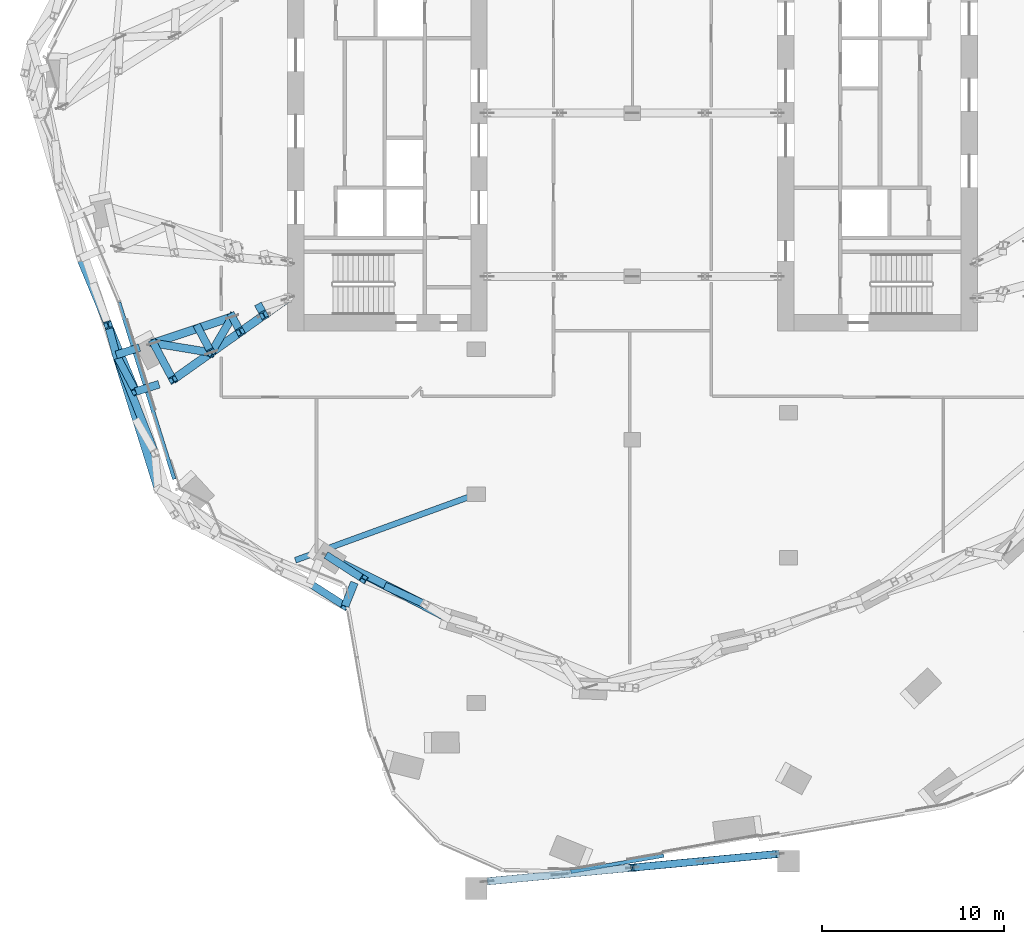
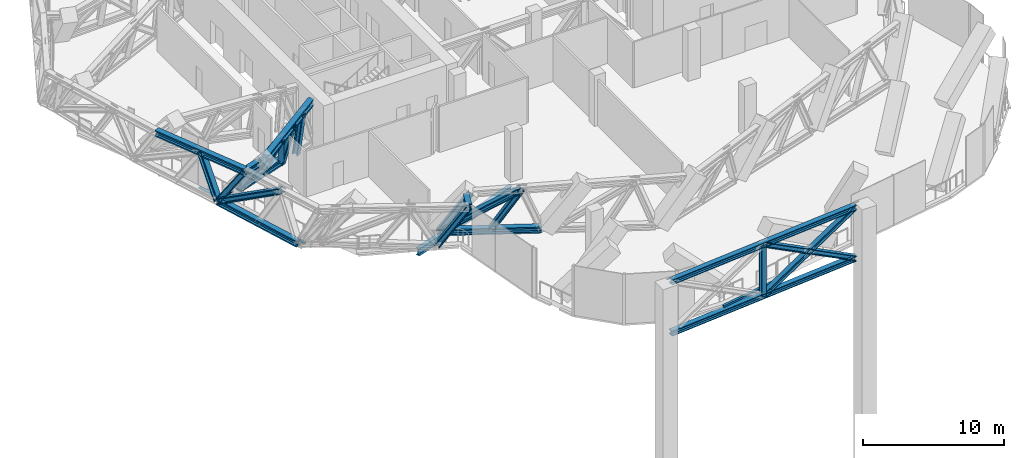
# One storey, part 3 of 31: 29 members, 1 beam, 2 elements without a shape of their own.
"""IFC4 building model written with IfcOpenShell, lengths in metres."""

from ifc_helpers import new_model, si_unit, direction, frame, origin, origin_2d, place, context, subcontext, project, spatial, rectangle, i_section, extrude, material, material_profile, profile_set, type_object, element, aggregate, save


model = new_model("IFC4")

# Units and contexts
model_context = context("Model", 3, precision=1e-05, world=origin(), true_north=direction((0.0, 1.0)))
body_context = subcontext(model_context, "Body", "Model", "MODEL_VIEW")
ifc_project = project(units=[si_unit("LENGTHUNIT", "METRE"), si_unit("AREAUNIT", "SQUARE_METRE"), si_unit("VOLUMEUNIT", "CUBIC_METRE"), si_unit("PLANEANGLEUNIT", "RADIAN"), si_unit("MASSUNIT", "GRAM", prefix="KILO")], contexts=[model_context])

# Site, building, storey
site_placement = place(None, origin())
site = spatial("IfcSite", under=ifc_project, at=site_placement, CompositionType="ELEMENT")
building_placement = place(site_placement, origin())
building = spatial("IfcBuilding", under=site, at=building_placement, Name="Orlundy Tower", CompositionType="ELEMENT")
storey_placement = place(building_placement, frame((0.0, 0.0, 271.0)))
storey = spatial("IfcBuildingStorey", under=building, at=storey_placement, Name="L72", CompositionType="ELEMENT", Elevation=271.0)

# Members
ifc_material_1 = material(Name="Steel ASTM A992 Gr 50", Category="steel")
ifc_material_profile_1 = material_profile(ifc_material_1, i_section(OverallWidth=0.4423828125, OverallDepth=0.531494140625, WebThickness=0.06591796875, FlangeThickness=0.105712890625, at=origin_2d()), Name="W14X605")
ifc_profile_set_1 = profile_set([ifc_material_profile_1], Name="Steel ASTM A992 Gr 50")
member_type_1 = type_object("IfcMemberType", Name="BELT TRUSS chord W14X605", PredefinedType="CHORD", material=ifc_profile_set_1)
member_1_placement = place(storey_placement, frame((-30.40087890625, -8.007080078125, 3.71533203125), z_axis=(0.383018862205, -0.923740521573, 0.0), x_axis=(0.923740521573, 0.383018862205, 0.0)))
element("IfcMember", 1, at=member_1_placement, inside=storey, type_object=member_type_1, Name="Belt truss top chord BT-01A", PredefinedType="CHORD", context=body_context, shape_type="SweptSolid", body=[
    extrude(i_section(OverallWidth=0.4423828125, OverallDepth=0.531494140625, WebThickness=0.06591796875, FlangeThickness=0.105712890625, at=origin_2d()), origin(), (0.0, 0.0, 1.0), 7.940185546875),
])
member_2_placement = place(storey_placement, frame((-28.43408203125, -13.322509765625, 0.28466796875), z_axis=(0.297995440471, -0.954567293311, 0.0), x_axis=(0.954567293311, 0.297995440471, 0.0)))
element("IfcMember", 2, at=member_2_placement, inside=storey, type_object=member_type_1, Name="Belt truss bottom chord BT-02A", PredefinedType="CHORD", context=body_context, shape_type="SweptSolid", body=[
    extrude(i_section(OverallWidth=0.4423828125, OverallDepth=0.531494140625, WebThickness=0.06591796875, FlangeThickness=0.105712890625, at=origin_2d()), origin(), (0.0, 0.0, 1.0), 7.7578125),
])
member_3_placement = place(storey_placement, frame((-16.728515625, -24.441162109375, 0.28466796875), z_axis=(0.88862987709, -0.458625055511, 0.0), x_axis=(0.458625055511, 0.88862987709, 0.0)))
element("IfcMember", 3, at=member_3_placement, inside=storey, type_object=member_type_1, Name="Belt truss bottom chord BT-04", PredefinedType="CHORD", context=body_context, shape_type="SweptSolid", body=[
    extrude(i_section(OverallWidth=0.4423828125, OverallDepth=0.531494140625, WebThickness=0.06591796875, FlangeThickness=0.105712890625, at=origin_2d()), origin(), (0.0, 0.0, 1.0), 7.310546875),
])
ifc_material_2 = material(Name="Steel ASTM A992 Gr 50", Category="steel")
ifc_material_profile_2 = material_profile(ifc_material_2, i_section(OverallWidth=0.42431640625, OverallDepth=0.47412109375, WebThickness=0.0478515625, FlangeThickness=0.0771484375, at=origin_2d()), Name="W14X426")
ifc_profile_set_2 = profile_set([ifc_material_profile_2], Name="Steel ASTM A992 Gr 50")
member_type_2 = type_object("IfcMemberType", Name="BELT TRUSS diagonal W14X426", PredefinedType="BRACE", material=ifc_profile_set_2)
member_4_placement = place(storey_placement, frame((-28.88037109375, -11.67431640625, 3.71533203125), z_axis=(0.116459986834, -0.430099218333, -0.89523836706), x_axis=(0.965240650878, 0.261362747712, 0.0)))
element("IfcMember", 4, at=member_4_placement, inside=storey, type_object=member_type_2, Name="Belt truss diagonal BT-01A-1", PredefinedType="BRACE", context=body_context, shape_type="SweptSolid", body=[
    extrude(i_section(OverallWidth=0.42431640625, OverallDepth=0.47412109375, WebThickness=0.0478515625, FlangeThickness=0.0771484375, at=origin_2d()), origin(), (0.0, 0.0, 1.0), 3.83203125),
])
member_5_placement = place(storey_placement, frame((-28.43408203125, -13.322509765625, 0.28466796875), z_axis=(0.315882329459, -0.801206920599, 0.508218284126), x_axis=(0.930307243134, 0.366781179142, 0.0)))
element("IfcMember", 5, at=member_5_placement, inside=storey, type_object=member_type_2, Name="Belt truss diagonal BT-02A-0", PredefinedType="BRACE", context=body_context, shape_type="SweptSolid", body=[
    extrude(i_section(OverallWidth=0.42431640625, OverallDepth=0.47412109375, WebThickness=0.0478515625, FlangeThickness=0.0771484375, at=origin_2d()), origin(), (0.0, 0.0, 1.0), 6.75048828125),
])
member_6_placement = place(storey_placement, frame((-16.728515625, -24.441162109375, 0.28466796875), z_axis=(0.775258573298, -0.384150310679, 0.501400721314), x_axis=(0.44399395348, 0.896029781466, 0.0)))
element("IfcMember", 6, at=member_6_placement, inside=storey, type_object=member_type_2, Name="Belt truss diagonal BT-04-0", PredefinedType="BRACE", context=body_context, shape_type="SweptSolid", body=[
    extrude(i_section(OverallWidth=0.42431640625, OverallDepth=0.47412109375, WebThickness=0.0478515625, FlangeThickness=0.0771484375, at=origin_2d()), origin(), (0.0, 0.0, 1.0), 6.842041015625),
])
ifc_material_3 = material(Name="Steel ASTM A992 Gr 50", Category="steel")
ifc_material_profile_3 = material_profile(ifc_material_3, i_section(OverallWidth=0.412109375, OverallDepth=0.434814453125, WebThickness=0.035888671875, FlangeThickness=0.057373046875, at=origin_2d()), Name="W14X311")
ifc_profile_set_3 = profile_set([ifc_material_profile_3], Name="Steel ASTM A992 Gr 50")
member_type_3 = type_object("IfcMemberType", Name="BELT TRUSS post W14X311", PredefinedType="POST", material=ifc_profile_set_3)
for number, where, z_axis, x_axis, name in (
    (7, (-28.43408203125, -13.322509765625, 0.28466796875), (0.260584440027, -0.489728221646, 0.832022847366), (0.882804587879, 0.469740417272, 0.0), "Belt truss post BT-01A-2"),
    (8, (-17.75927734375, -25.922607421875, 0.28466796875), (0.466865930615, -0.299658652485, 0.832010153076), (0.540158689498, 0.841563182512, 0.0), "Belt truss post BT-03A-2"),
    (9, (-16.728515625, -24.441162109375, 0.28466796875), (0.466811341169, -0.299720828133, 0.832018387381), (0.540282793504, 0.841483513233, 0.0), "Belt truss post BT-04-0"),
):
    element("IfcMember", number, at=place(storey_placement, frame(where, z_axis=z_axis, x_axis=x_axis)), inside=storey, type_object=member_type_3, Name=name, PredefinedType="POST", context=body_context, shape_type="SweptSolid", body=[
        extrude(i_section(OverallWidth=0.412109375, OverallDepth=0.434814453125, WebThickness=0.035888671875, FlangeThickness=0.057373046875, at=origin_2d()), origin(), (0.0, 0.0, 1.0), 4.123291015625),
    ])
member_7_placement = place(storey_placement, frame((-13.480224609375, -26.117431640625, 0.28466796875), z_axis=(0.50010713637, -0.231586064099, 0.834422403263), x_axis=(0.420205721615, 0.907428868574, 0.0)))
element("IfcMember", 10, at=member_7_placement, inside=storey, type_object=member_type_3, Name="Belt truss post BT-04-1", PredefinedType="POST", context=body_context, shape_type="SweptSolid", body=[
    extrude(i_section(OverallWidth=0.412109375, OverallDepth=0.434814453125, WebThickness=0.035888671875, FlangeThickness=0.057373046875, at=origin_2d()), origin(), (0.0, 0.0, 1.0), 4.111328125),
])
ifc_material_4 = material(Name="Steel ASTM A992 Gr 50", Category="steel")
ifc_material_profile_4 = material_profile(ifc_material_4, i_section(OverallWidth=0.43212890625, OverallDepth=0.497802734375, WebThickness=0.0556640625, FlangeThickness=0.0888671875, at=origin_2d()), Name="W14X500")
ifc_profile_set_4 = profile_set([ifc_material_profile_4], Name="Steel ASTM A992 Gr 50")
member_type_4 = type_object("IfcMemberType", Name="BELT TRUSS strut W14X500", PredefinedType="STRUT", material=ifc_profile_set_4)
member_8_placement = place(storey_placement, frame((-27.14990234375, -12.921630859375, 0.28466796875), z_axis=(-0.954570349896, -0.29798564915, 0.0), x_axis=(0.29798564915, -0.954570349896, 0.0)))
element("IfcMember", 11, at=member_8_placement, inside=storey, type_object=member_type_4, Name="Belt truss bracket C-H17", PredefinedType="STRUT", context=body_context, shape_type="SweptSolid", body=[
    extrude(i_section(OverallWidth=0.43212890625, OverallDepth=0.497802734375, WebThickness=0.0556640625, FlangeThickness=0.0888671875, at=origin_2d()), origin(), (0.0, 0.0, 1.0), 1.34521484375),
])
member_9_placement = place(storey_placement, frame((-26.07568359375, -14.94091796875, 3.71533203125), z_axis=(-0.954554231354, -0.298037278548, 0.0), x_axis=(0.298037278548, -0.954554231354, 0.0)))
element("IfcMember", 12, at=member_9_placement, inside=storey, type_object=member_type_4, Name="Belt truss bracket C-H17", PredefinedType="STRUT", context=body_context, shape_type="SweptSolid", body=[
    extrude(i_section(OverallWidth=0.43212890625, OverallDepth=0.497802734375, WebThickness=0.0556640625, FlangeThickness=0.0888671875, at=origin_2d()), origin(), (0.0, 0.0, 1.0), 1.344970703125),
])
member_10_placement = place(storey_placement, frame((-15.31201171875, -25.865478515625, 3.71533203125), z_axis=(-0.374558592096, -0.927203246914, 0.0), x_axis=(0.927203246914, -0.374558592096, 0.0)))
element("IfcMember", 13, at=member_10_placement, inside=storey, type_object=member_type_4, Name="Belt truss bracket C-H15", PredefinedType="STRUT", context=body_context, shape_type="SweptSolid", body=[
    extrude(i_section(OverallWidth=0.43212890625, OverallDepth=0.497802734375, WebThickness=0.0556640625, FlangeThickness=0.0888671875, at=origin_2d()), origin(), (0.0, 0.0, 1.0), 1.394287109375),
])

# Beam
ifc_material_5 = material(Name="Steel ASTM A992 Gr 50", Category="steel")
ifc_material_profile_5 = material_profile(ifc_material_5, i_section(OverallWidth=0.32373046875, OverallDepth=0.611083984375, WebThickness=0.0126953125, FlangeThickness=0.01904296875, at=origin_2d()), Name="W24X104")
ifc_profile_set_5 = profile_set([ifc_material_profile_5], Name="Steel ASTM A992 Gr 50")
beam_type = type_object("IfcBeamType", Name="CANTILEVER GIRDER beam W24X104", PredefinedType="BEAM", material=ifc_profile_set_5)
beam_placement = place(storey_placement, frame((-18.56982421875, -24.636962890625, -0.755615234375), z_axis=(0.939441103723, 0.342710391783, 0.0), x_axis=(-0.342710391783, 0.939441103723, 0.0)))
element("IfcBeam", 14, at=beam_placement, inside=storey, type_object=beam_type, Name="Cantilever girder C-H15 L72", PredefinedType="BEAM", context=body_context, shape_type="SweptSolid", body=[
    extrude(i_section(OverallWidth=0.32373046875, OverallDepth=0.611083984375, WebThickness=0.0126953125, FlangeThickness=0.01904296875, at=origin_2d()), origin(), (0.0, 0.0, 1.0), 10.29248046875),
])

# Curtain wall, member
ifc_material_6 = material(Name="Aluminium bronze anodised", Category="aluminium")
curtain_wall_type = type_object("IfcCurtainWallType", Name="CW4 wall", PredefinedType="NOTDEFINED", material=ifc_material_6)
curtain_wall_1_placement = place(storey_placement, origin())
curtain_wall_1 = element("IfcCurtainWall", 15, at=curtain_wall_1_placement, inside=storey, type_object=curtain_wall_type, Name="CW4 run 03", PredefinedType="NOTDEFINED")
ifc_material_7 = material(Name="Aluminium bronze anodised", Category="aluminium")
ifc_material_profile_6 = material_profile(ifc_material_7, rectangle(XDim=0.199951171875, YDim=0.14990234375, at=origin_2d()), Name="CW4 transom 200x150")
ifc_profile_set_6 = profile_set([ifc_material_profile_6], Name="Aluminium bronze anodised")
member_type_5 = type_object("IfcMemberType", Name="CW4 transom 200x150", PredefinedType="USERDEFINED", material=ifc_profile_set_6)
member_11_placement = place(storey_placement, frame((-25.236083984375, -20.17138671875, -0.375), z_axis=(-0.297974144211, 0.954573941286, 0.0), x_axis=(-0.954573941286, -0.297974144211, 0.0)))
member_11 = element("IfcMember", 16, at=member_11_placement, type_object=member_type_5, Name="CW4 transom", ObjectType="TRANSOM", PredefinedType="USERDEFINED", context=body_context, shape_type="SweptSolid", body=[
    extrude(rectangle(XDim=0.199951171875, YDim=0.14990234375, at=origin_2d()), origin(), (0.0, 0.0, 1.0), 10.212158203125),
])
aggregate(curtain_wall_1, [member_11])

curtain_wall_2_placement = place(storey_placement, origin())
curtain_wall_2 = element("IfcCurtainWall", 17, at=curtain_wall_2_placement, inside=storey, type_object=curtain_wall_type, Name="CW4 run 040", PredefinedType="NOTDEFINED")
member_12_placement = place(storey_placement, frame((1.731201171875, -40.9052734375, -0.375), z_axis=(-0.985317711422, -0.170730804362, 0.0), x_axis=(0.170730804362, -0.985317711422, 0.0)))
member_12 = element("IfcMember", 18, at=member_12_placement, type_object=member_type_5, Name="CW4 transom", ObjectType="TRANSOM", PredefinedType="USERDEFINED", context=body_context, shape_type="SweptSolid", body=[
    extrude(rectangle(XDim=0.199951171875, YDim=0.14990234375, at=origin_2d()), origin(), (0.0, 0.0, 1.0), 5.199462890625),
])
aggregate(curtain_wall_2, [member_12])

# Members
ifc_material_8 = material(Name="Steel ASTM A992 Gr 50", Category="steel")
ifc_material_profile_7 = material_profile(ifc_material_8, i_section(OverallWidth=0.454345703125, OverallDepth=0.569580078125, WebThickness=0.077880859375, FlangeThickness=0.124755859375, at=origin_2d()), Name="W14X730")
ifc_profile_set_7 = profile_set([ifc_material_profile_7], Name="Steel ASTM A992 Gr 50")
member_type_6 = type_object("IfcMemberType", Name="OUTRIGGER TRUSS chord W14X730", PredefinedType="CHORD", material=ifc_profile_set_7)
member_13_placement = place(storey_placement, frame((-22.039794921875, -11.222412109375, 0.28466796875), z_axis=(-0.948448510148, -0.316931260051, 0.0), x_axis=(0.316931260051, -0.948448510148, 0.0)))
element("IfcMember", 19, at=member_13_placement, inside=storey, type_object=member_type_6, Name="Outrigger truss bottom chord OR-W-C-H172", PredefinedType="CHORD", context=body_context, shape_type="SweptSolid", body=[
    extrude(i_section(OverallWidth=0.454345703125, OverallDepth=0.569580078125, WebThickness=0.077880859375, FlangeThickness=0.124755859375, at=origin_2d()), origin(), (0.0, 0.0, 1.0), 4.580322265625),
])
member_14_placement = place(storey_placement, frame((-18.97998046875, -10.199951171875, 3.71533203125), z_axis=(-0.815430044464, -0.578855631903, 0.0), x_axis=(0.578855631903, -0.815430044464, 0.0)))
element("IfcMember", 20, at=member_14_placement, inside=storey, type_object=member_type_6, Name="Outrigger truss top chord OR-W-C-H17", PredefinedType="CHORD", context=body_context, shape_type="SweptSolid", body=[
    extrude(i_section(OverallWidth=0.454345703125, OverallDepth=0.569580078125, WebThickness=0.077880859375, FlangeThickness=0.124755859375, at=origin_2d()), origin(), (0.0, 0.0, 1.0), 7.762451171875),
])
ifc_material_9 = material(Name="Steel ASTM A992 Gr 50", Category="steel")
ifc_material_profile_8 = material_profile(ifc_material_9, i_section(OverallWidth=0.43212890625, OverallDepth=0.497802734375, WebThickness=0.0556640625, FlangeThickness=0.0888671875, at=origin_2d()), Name="W14X500")
ifc_profile_set_8 = profile_set([ifc_material_profile_8], Name="Steel ASTM A992 Gr 50")
member_type_7 = type_object("IfcMemberType", Name="OUTRIGGER TRUSS diagonal W14X500", PredefinedType="BRACE", material=ifc_profile_set_8)
member_15_placement = place(storey_placement, frame((-22.039794921875, -11.222412109375, 0.28466796875), z_axis=(-0.281252587429, -0.478443151252, 0.831858842043), x_axis=(0.862079509573, -0.506773045036, 0.0)))
element("IfcMember", 21, at=member_15_placement, inside=storey, type_object=member_type_7, Name="Outrigger truss diagonal OR-W-C-H17-2", PredefinedType="BRACE", context=body_context, shape_type="SweptSolid", body=[
    extrude(i_section(OverallWidth=0.43212890625, OverallDepth=0.497802734375, WebThickness=0.0556640625, FlangeThickness=0.0888671875, at=origin_2d()), origin(), (0.0, 0.0, 1.0), 4.1240234375),
])
member_16_placement = place(storey_placement, frame((-23.19970703125, -13.195556640625, 3.71533203125), z_axis=(-0.676119879715, 0.110725451435, -0.728424177701), x_axis=(-0.161613167293, -0.986854185864, 0.0)))
element("IfcMember", 22, at=member_16_placement, inside=storey, type_object=member_type_7, Name="Outrigger truss diagonal OR-W-C-H17-3", PredefinedType="BRACE", context=body_context, shape_type="SweptSolid", body=[
    extrude(i_section(OverallWidth=0.43212890625, OverallDepth=0.497802734375, WebThickness=0.0556640625, FlangeThickness=0.0888671875, at=origin_2d()), origin(), (0.0, 0.0, 1.0), 4.709716796875),
])
ifc_material_10 = material(Name="Steel ASTM A992 Gr 50", Category="steel")
ifc_material_profile_9 = material_profile(ifc_material_10, i_section(OverallWidth=0.41845703125, OverallDepth=0.455078125, WebThickness=0.0419921875, FlangeThickness=0.067626953125, at=origin_2d()), Name="W14X370")
ifc_profile_set_9 = profile_set([ifc_material_profile_9], Name="Steel ASTM A992 Gr 50")
member_type_8 = type_object("IfcMemberType", Name="OUTRIGGER TRUSS post W14X370", PredefinedType="POST", material=ifc_profile_set_9)
member_17_placement = place(storey_placement, frame((-20.522216796875, -10.71533203125, 0.0), z_axis=(0.059768002673, -0.112301274379, 0.991875097797), x_axis=(0.882763895386, 0.469816884544, 0.0)))
element("IfcMember", 23, at=member_17_placement, inside=storey, type_object=member_type_8, Name="Outrigger truss post OR-W-C-H17-1", PredefinedType="POST", context=body_context, shape_type="SweptSolid", body=[
    extrude(i_section(OverallWidth=0.41845703125, OverallDepth=0.455078125, WebThickness=0.0419921875, FlangeThickness=0.067626953125, at=origin_2d()), origin(), (0.0, 0.0, 1.0), 3.745849609375),
])
member_18_placement = place(storey_placement, frame((-22.039794921875, -11.222412109375, 0.0), z_axis=(0.115838959432, -0.217667709367, 0.969124400568), x_axis=(0.882774401526, 0.469797143468, 0.0)))
element("IfcMember", 24, at=member_18_placement, inside=storey, type_object=member_type_8, Name="Outrigger truss post OR-W-C-H17-2", PredefinedType="POST", context=body_context, shape_type="SweptSolid", body=[
    extrude(i_section(OverallWidth=0.41845703125, OverallDepth=0.455078125, WebThickness=0.0419921875, FlangeThickness=0.067626953125, at=origin_2d()), origin(), (0.0, 0.0, 1.0), 3.833740234375),
])
member_19_placement = place(storey_placement, frame((-23.916015625, -11.849365234375, 0.28466796875), z_axis=(0.190796731428, -0.358572998328, 0.913795388556), x_axis=(0.882804587879, 0.469740417272, 0.0)))
element("IfcMember", 25, at=member_19_placement, inside=storey, type_object=member_type_8, Name="Outrigger truss post OR-W-C-H17-3", PredefinedType="POST", context=body_context, shape_type="SweptSolid", body=[
    extrude(i_section(OverallWidth=0.41845703125, OverallDepth=0.455078125, WebThickness=0.0419921875, FlangeThickness=0.067626953125, at=origin_2d()), origin(), (0.0, 0.0, 1.0), 3.75439453125),
])
member_20_placement = place(storey_placement, frame((-26.384033203125, -12.674072265625, 0.28466796875), z_axis=(0.2605292491, -0.489735777115, 0.832035683716), x_axis=(0.882848847979, 0.469657227797, 0.0)))
element("IfcMember", 26, at=member_20_placement, inside=storey, type_object=member_type_8, Name="Outrigger truss post OR-W-C-H17-4", PredefinedType="POST", context=body_context, shape_type="SweptSolid", body=[
    extrude(i_section(OverallWidth=0.41845703125, OverallDepth=0.455078125, WebThickness=0.0419921875, FlangeThickness=0.067626953125, at=origin_2d()), origin(), (0.0, 0.0, 1.0), 4.123291015625),
])
ifc_material_11 = material(Name="Steel ASTM A992 Gr 50", Category="steel")
ifc_material_profile_10 = material_profile(ifc_material_11, i_section(OverallWidth=0.412109375, OverallDepth=0.434814453125, WebThickness=0.035888671875, FlangeThickness=0.057373046875, at=origin_2d()), Name="W14X311")
ifc_profile_set_10 = profile_set([ifc_material_profile_10], Name="Steel ASTM A992 Gr 50")
member_type_9 = type_object("IfcMemberType", Name="PORTAL TRUSS chord W14X311", PredefinedType="CHORD", material=ifc_profile_set_10)
for number, where, z_axis, x_axis, name in (
    (27, (-8.0, -42.322998046875, -0.734619140625), (0.995598859701, 0.093717183922, 0.0), (-0.093717183922, 0.995598859701, 0.0), "Portal truss bottom chord PF-S"),
    (28, (-8.0, -42.322998046875, 3.71533203125), (0.995598859701, 0.093717183922, 0.0), (-0.093717183922, 0.995598859701, 0.0), "Portal truss top chord PF-S"),
):
    element("IfcMember", number, at=place(storey_placement, frame(where, z_axis=z_axis, x_axis=x_axis)), inside=storey, type_object=member_type_9, Name=name, PredefinedType="CHORD", context=body_context, shape_type="SweptSolid", body=[
        extrude(i_section(OverallWidth=0.412109375, OverallDepth=0.434814453125, WebThickness=0.035888671875, FlangeThickness=0.057373046875, at=origin_2d()), origin(), (0.0, 0.0, 1.0), 16.07080078125),
    ])
ifc_material_12 = material(Name="Steel ASTM A992 Gr 50", Category="steel")
ifc_material_profile_11 = material_profile(ifc_material_12, i_section(OverallWidth=0.39892578125, OverallDepth=0.393310546875, WebThickness=0.022705078125, FlangeThickness=0.03662109375, at=origin_2d()), Name="W14X193")
ifc_profile_set_11 = profile_set([ifc_material_profile_11], Name="Steel ASTM A992 Gr 50")
member_type_10 = type_object("IfcMemberType", Name="PORTAL TRUSS diagonal W14X193", PredefinedType="BRACE", material=ifc_profile_set_11)
member_21_placement = place(storey_placement, frame((0.0, -41.570068359375, 3.71533203125), z_axis=(0.870958918789, 0.081997932875, -0.484465582665), x_axis=(-0.093732242096, 0.995597442138, 0.0)))
element("IfcMember", 29, at=member_21_placement, inside=storey, type_object=member_type_10, Name="Portal truss diagonal PF-S-1", PredefinedType="BRACE", context=body_context, shape_type="SweptSolid", body=[
    extrude(i_section(OverallWidth=0.39892578125, OverallDepth=0.393310546875, WebThickness=0.022705078125, FlangeThickness=0.03662109375, at=origin_2d()), origin(), (0.0, 0.0, 1.0), 9.185302734375),
])
member_22_placement = place(storey_placement, frame((0.0, -41.570068359375, -0.734619140625), z_axis=(0.870972031931, 0.081972587478, 0.484446296813), x_axis=(-0.093702125683, 0.99560027704, 0.0)))
element("IfcMember", 30, at=member_22_placement, inside=storey, type_object=member_type_10, Name="Portal truss diagonal PF-S-1b1", PredefinedType="BRACE", context=body_context, shape_type="SweptSolid", body=[
    extrude(i_section(OverallWidth=0.39892578125, OverallDepth=0.393310546875, WebThickness=0.022705078125, FlangeThickness=0.03662109375, at=origin_2d()), origin(), (0.0, 0.0, 1.0), 4.592529296875),
])
member_23_placement = place(storey_placement, frame((4.0, -41.193603515625, 1.490234375), z_axis=(0.870945805008, 0.082023277413, 0.484484867361), x_axis=(-0.093762358251, 0.995594606341, 0.0)))
element("IfcMember", 31, at=member_23_placement, inside=storey, type_object=member_type_10, Name="Portal truss diagonal PF-S-1b2", PredefinedType="BRACE", context=body_context, shape_type="SweptSolid", body=[
    extrude(i_section(OverallWidth=0.39892578125, OverallDepth=0.393310546875, WebThickness=0.022705078125, FlangeThickness=0.03662109375, at=origin_2d()), origin(), (0.0, 0.0, 1.0), 4.5927734375),
])
ifc_material_13 = material(Name="Steel ASTM A992 Gr 50", Category="steel")
ifc_material_profile_12 = material_profile(ifc_material_13, i_section(OverallWidth=0.39892578125, OverallDepth=0.393310546875, WebThickness=0.022705078125, FlangeThickness=0.03662109375, at=origin_2d()), Name="W14X193")
ifc_profile_set_12 = profile_set([ifc_material_profile_12], Name="Steel ASTM A992 Gr 50")
member_type_11 = type_object("IfcMemberType", Name="PORTAL TRUSS post W14X193", PredefinedType="POST", material=ifc_profile_set_12)
member_24_placement = place(storey_placement, frame((0.0, -41.570068359375, -0.734619140625), z_axis=(0.0, 0.0, 1.0), x_axis=(1.0, 0.0, 0.0)))
element("IfcMember", 32, at=member_24_placement, inside=storey, type_object=member_type_11, Name="Portal truss post PF-S-1", PredefinedType="POST", context=body_context, shape_type="SweptSolid", body=[
    extrude(i_section(OverallWidth=0.39892578125, OverallDepth=0.393310546875, WebThickness=0.022705078125, FlangeThickness=0.03662109375, at=origin_2d()), origin(), (0.0, 0.0, 1.0), 4.449951171875),
])

save(model, "model.ifc")
